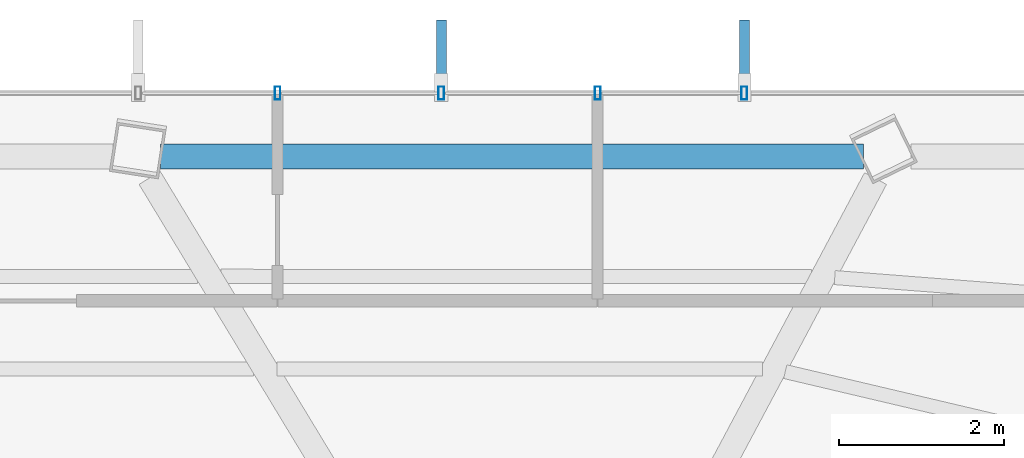
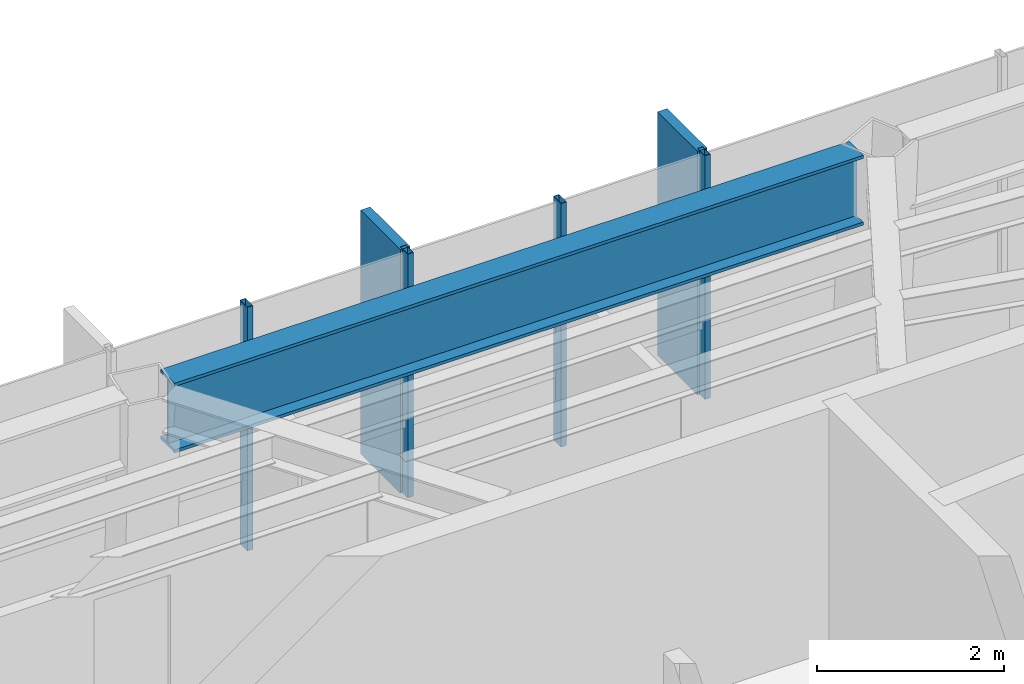
# One storey, part 14 of 25: 6 members, 1 beam, 1 element without a shape of its own.
"""IFC4 building model written with IfcOpenShell, lengths in metres."""

import ifcopenshell
import ifcopenshell.guid

model = None  # the IFC model being written
_history = None  # IfcOwnerHistory: only IFC2X3 demands one
_inside = {}  # id of a spatial element -> (the spatial element, [elements in it])
_under = {}  # id of a project, library or spatial element -> (it, [spatial elements below it])
_declared = {}  # id of a project -> (the project, [libraries it declares])
_typed = {}  # id of a type object -> (the type object, [elements of that type])
_made_of = {}  # id of a material, layer set ... -> (it, [elements and type objects made of it])


def new_model(schema):
    """Start an empty IFC model of exactly this schema.

    Asked for "IFC4X3", IfcOpenShell would pick the latest addendum, in which some entities
    have other attributes; the version numbers below select the first issue.
    IFC2X3 requires an IfcOwnerHistory on every rooted entity: one is made here for all.
    """
    global model, _history
    if schema == "IFC4X3":
        model = ifcopenshell.file(schema_version=(4, 3, 0, 0))
    else:
        model = ifcopenshell.file(schema=schema)
    _inside.clear()
    _under.clear()
    _declared.clear()
    _typed.clear()
    _made_of.clear()
    _history = None
    if model.schema == "IFC2X3":
        org = make("IfcOrganization", Name="unknown")
        user = make(
            "IfcPersonAndOrganization",
            ThePerson=make("IfcPerson", FamilyName="unknown"),
            TheOrganization=org,
        )
        app = make(
            "IfcApplication",
            ApplicationDeveloper=org,
            Version="unknown",
            ApplicationFullName="unknown",
            ApplicationIdentifier="unknown",
        )
        _history = make(
            "IfcOwnerHistory",
            OwningUser=user,
            OwningApplication=app,
            ChangeAction="ADDED",
            CreationDate=0,
        )
    return model


def make(cls, **values):
    """One entity of the class cls with the attributes given. An attribute that is None is left unset."""
    return model.create_entity(
        cls, **{name: value for name, value in values.items() if value is not None}
    )


def rooted(cls, **values):
    """An entity with a GlobalId (a new one), such as an element, a storey or a relation."""
    return make(cls, GlobalId=ifcopenshell.guid.new(), OwnerHistory=_history, **values)


def si_unit(unit_type, name, prefix=None):
    """IfcSIUnit, for example si_unit("LENGTHUNIT", "METRE", prefix="MILLI")."""
    return make("IfcSIUnit", UnitType=unit_type, Prefix=prefix, Name=name)


def assignment(units):
    """IfcUnitAssignment: the units of a project."""
    return None if units is None else make("IfcUnitAssignment", Units=units)


def point(xyz):
    """IfcCartesianPoint."""
    return None if xyz is None else make("IfcCartesianPoint", Coordinates=xyz)


def direction(xyz):
    """IfcDirection."""
    return None if xyz is None else make("IfcDirection", DirectionRatios=xyz)


def frame(location, z_axis=None, x_axis=None):
    """IfcAxis2Placement3D, a coordinate frame: its origin and axes. An axis left out is left unset."""
    return make(
        "IfcAxis2Placement3D",
        Location=point(location),
        Axis=direction(z_axis),
        RefDirection=direction(x_axis),
    )


def frame_2d(location, x_axis=None):
    """IfcAxis2Placement2D, a coordinate frame in the plane: its origin and x axis."""
    return make(
        "IfcAxis2Placement2D", Location=point(location), RefDirection=direction(x_axis)
    )


def origin():
    """The frame at (0, 0, 0) with its axes left unset."""
    return frame((0.0, 0.0, 0.0))


def origin_2d():
    """The frame at (0, 0) in the plane with its x axis left unset."""
    return frame_2d((0.0, 0.0))


def place(relative_to, where):
    """IfcLocalPlacement: puts the frame where relative to a parent placement (None: the world)."""
    return make(
        "IfcLocalPlacement", PlacementRelTo=relative_to, RelativePlacement=where
    )


def context(
    kind, dimensions, precision=None, world=None, true_north=None, identifier=None
):
    """IfcGeometricRepresentationContext, for example the 3D "Model" context."""
    return make(
        "IfcGeometricRepresentationContext",
        ContextIdentifier=identifier,
        ContextType=kind,
        CoordinateSpaceDimension=dimensions,
        Precision=precision,
        WorldCoordinateSystem=world,
        TrueNorth=true_north,
    )


def subcontext(parent, identifier, kind, view, scale=None):
    """IfcGeometricRepresentationSubContext, for example "Body" below "Model"."""
    return make(
        "IfcGeometricRepresentationSubContext",
        ContextIdentifier=identifier,
        ContextType=kind,
        ParentContext=parent,
        TargetScale=scale,
        TargetView=view,
    )


def project(units=None, contexts=None):
    """IfcProject with its units and contexts."""
    return rooted(
        "IfcProject",
        Name="project",
        RepresentationContexts=contexts,
        UnitsInContext=assignment(units),
    )


def spatial(cls, under=None, at=None, **own):
    """A site, building, storey or space (cls), placed at a placement, below another one or the project."""
    s = rooted(cls, ObjectPlacement=at, **own)
    if under is not None:
        _under.setdefault(under.id(), (under, []))[1].append(s)
    return s


def profile(cls, at=None, kind="AREA", **sizes):
    """A parametric profile (cls). Its sizes go by their IFC names, for example OverallWidth=200.0."""
    return make(cls, ProfileType=kind, Position=at, **sizes)


def rectangle(**sizes):
    """IfcRectangleProfileDef."""
    return profile("IfcRectangleProfileDef", **sizes)


def hollow_rectangle(**sizes):
    """IfcRectangleHollowProfileDef."""
    return profile("IfcRectangleHollowProfileDef", **sizes)


def i_section(**sizes):
    """IfcIShapeProfileDef."""
    return profile("IfcIShapeProfileDef", **sizes)


def extrude(swept, where, along, depth):
    """IfcExtrudedAreaSolid: the profile swept, set in the frame where, extruded along a direction by depth."""
    return make(
        "IfcExtrudedAreaSolid",
        SweptArea=swept,
        Position=where,
        ExtrudedDirection=direction(along),
        Depth=depth,
    )


def shape(context_of_items, identifier, shape_type, items):
    """IfcShapeRepresentation: the items that make up one representation, for example the "Body"."""
    return make(
        "IfcShapeRepresentation",
        ContextOfItems=context_of_items,
        RepresentationIdentifier=identifier,
        RepresentationType=shape_type,
        Items=items,
    )


def material(Name=None, Category=None):
    """IfcMaterial."""
    return make("IfcMaterial", Name=Name, Category=Category)


def layer(
    of_material, thickness, ventilated=None, Name=None, Category=None, Priority=None
):
    """IfcMaterialLayer: one layer of a wall or slab, of a material (None: an air gap)."""
    return make(
        "IfcMaterialLayer",
        Material=of_material,
        LayerThickness=thickness,
        IsVentilated=ventilated,
        Name=Name,
        Category=Category,
        Priority=Priority,
    )


def layer_set(layers, Name=None):
    """IfcMaterialLayerSet."""
    return make("IfcMaterialLayerSet", MaterialLayers=layers, LayerSetName=Name)


def material_profile(
    of_material, cross_section, Name=None, Category=None, Priority=None
):
    """IfcMaterialProfile: a cross section and its material."""
    return make(
        "IfcMaterialProfile",
        Name=Name,
        Material=of_material,
        Profile=cross_section,
        Priority=Priority,
        Category=Category,
    )


def profile_set(profiles, Name=None, composite=None):
    """IfcMaterialProfileSet."""
    return make(
        "IfcMaterialProfileSet",
        Name=Name,
        MaterialProfiles=profiles,
        CompositeProfile=composite,
    )


def made_of(thing, what):
    """Note that an element or type object is made of a material, layer set ...; save() writes the relation."""
    if what is not None:
        _made_of.setdefault(what.id(), (what, []))[1].append(thing)
    return thing


def type_object(cls, material=None, **own):
    """A type object (cls), such as IfcWallType, which elements share."""
    return made_of(rooted(cls, **own), material)


def element(
    cls,
    number,
    at=None,
    inside=None,
    cuts=None,
    type_object=None,
    material=None,
    context=None,
    identifier="Body",
    shape_type=None,
    held_by="IfcProductDefinitionShape",
    body=None,
    shapes=None,
    **own,
):
    """One element of the class cls, such as IfcWall. Its Tag is "e" and its number.

    at: its placement. inside: the storey or other place that contains it. cuts: it is an
    opening in that element (IfcRelVoidsElement). A single representation is given by context,
    identifier, shape_type and body (its items); several are given by shapes. held_by: the class
    of the entity that holds the representations. save() writes the other relations.
    """
    e = rooted(cls, Tag="e%d" % number, ObjectPlacement=at, **own)
    if body is not None:
        shapes = [shape(context, identifier, shape_type, body)]
    if shapes is not None:
        e.Representation = make(held_by, Representations=shapes)
    if inside is not None:
        _inside.setdefault(inside.id(), (inside, []))[1].append(e)
    if cuts is not None:
        rooted(
            "IfcRelVoidsElement", RelatingBuildingElement=cuts, RelatedOpeningElement=e
        )
    if type_object is not None:
        _typed.setdefault(type_object.id(), (type_object, []))[1].append(e)
    return made_of(e, material)


def aggregate(whole, parts):
    """IfcRelAggregates: a whole, such as a stair, and the parts it consists of."""
    return rooted("IfcRelAggregates", RelatingObject=whole, RelatedObjects=parts)


def save(model, path):
    """Write the relations noted so far, then the file.

    IfcRelAggregates (storeys below a building ...), IfcRelContainedInSpatialStructure (elements
    in a storey), IfcRelDefinesByType, IfcRelAssociatesMaterial and IfcRelDeclares: one each for
    every whole, place, type object, material and project.
    """
    for whole, parts in _under.values():
        aggregate(whole, parts)
    for where, things in _inside.values():
        rooted(
            "IfcRelContainedInSpatialStructure",
            RelatedElements=things,
            RelatingStructure=where,
        )
    for kind, things in _typed.values():
        rooted("IfcRelDefinesByType", RelatedObjects=things, RelatingType=kind)
    for what, things in _made_of.values():
        rooted("IfcRelAssociatesMaterial", RelatedObjects=things, RelatingMaterial=what)
    for by, libraries in _declared.values():
        rooted("IfcRelDeclares", RelatingContext=by, RelatedDefinitions=libraries)
    model.write(path)


model = new_model("IFC4")

# Units and contexts
model_context = context("Model", 3, precision=1e-05, world=origin(), true_north=direction((0.0, 1.0)))
body_context = subcontext(model_context, "Body", "Model", "MODEL_VIEW")
ifc_project = project(units=[si_unit("LENGTHUNIT", "METRE"), si_unit("AREAUNIT", "SQUARE_METRE"), si_unit("VOLUMEUNIT", "CUBIC_METRE"), si_unit("PLANEANGLEUNIT", "RADIAN"), si_unit("MASSUNIT", "GRAM", prefix="KILO")], contexts=[model_context])

# Site, building, storey
site_placement = place(None, origin())
site = spatial("IfcSite", under=ifc_project, at=site_placement, CompositionType="ELEMENT")
building_placement = place(site_placement, origin())
building = spatial("IfcBuilding", under=site, at=building_placement, Name="Zarrinselat Tower", CompositionType="ELEMENT")
storey_placement = place(building_placement, frame((0.0, 0.0, 246.159912109375)))
storey = spatial("IfcBuildingStorey", under=building, at=storey_placement, Name="L62", CompositionType="ELEMENT", Elevation=246.159912109375)

# Beam
ifc_material_1 = material(Name="Steel S460M", Category="steel")
ifc_material_profile_1 = material_profile(ifc_material_1, i_section(OverallWidth=0.302001953125, OverallDepth=0.909912109375, WebThickness=0.02099609375, FlangeThickness=0.0400390625, at=origin_2d()), Name="HEM 900")
ifc_profile_set_1 = profile_set([ifc_material_profile_1], Name="Steel S460M")
beam_type = type_object("IfcBeamType", Name="BM-HEM900", PredefinedType="BEAM", material=ifc_profile_set_1)
beam_placement = place(storey_placement, frame((39.0146484375, 47.29443359375, 2.72509765625), z_axis=(1.0, 0.0, 0.0), x_axis=(0.0, 1.0, 0.0)))
element("IfcBeam", 1, at=beam_placement, inside=storey, type_object=beam_type, Name="L62 Perimeter Spandrel Girder SP02", PredefinedType="BEAM", context=body_context, shape_type="SweptSolid", body=[
    extrude(i_section(OverallWidth=0.302001953125, OverallDepth=0.909912109375, WebThickness=0.02099609375, FlangeThickness=0.0400390625, at=origin_2d()), origin(), (0.0, 0.0, 1.0), 8.4990234375),
])

# Curtain wall, members
ifc_material_2 = material(Name="Extruded Aluminium Alloy EN AW-6063 T6", Category="aluminium")
ifc_layer = layer(ifc_material_2, 0.169921875)
ifc_layer_set = layer_set([ifc_layer], Name="Extruded Aluminium Alloy EN AW-6063 T6")
curtain_wall_type = type_object("IfcCurtainWallType", Name="CWS-RES", PredefinedType="NOTDEFINED", material=ifc_layer_set)
curtain_wall_placement = place(storey_placement, origin())
curtain_wall = element("IfcCurtainWall", 2, at=curtain_wall_placement, inside=storey, type_object=curtain_wall_type, Name="L62 Unitised Curtain Wall CW-L62-E01", PredefinedType="NOTDEFINED")
ifc_material_3 = material(Name="Extruded Aluminium Alloy EN AW-6063 T6", Category="aluminium")
ifc_material_profile_2 = material_profile(ifc_material_3, hollow_rectangle(XDim=0.070068359375, YDim=0.159912109375, WallThickness=0.00390625, at=origin_2d()), Name="RHS 160x70x4")
ifc_profile_set_2 = profile_set([ifc_material_profile_2], Name="Extruded Aluminium Alloy EN AW-6063 T6")
member_type_1 = type_object("IfcMemberType", Name="MEM-CW-MUL2", PredefinedType="MULLION", material=ifc_profile_set_2)
member_1_placement = place(storey_placement, frame((46.07421875, 48.06103515625, 0.0), z_axis=(0.0, 0.0, 1.0), x_axis=(-1.0, 0.0, 0.0)))
member_1 = element("IfcMember", 3, at=member_1_placement, type_object=member_type_1, Name="CW-L62-E01 Mullion 3", PredefinedType="MULLION", context=body_context, shape_type="SweptSolid", body=[
    extrude(hollow_rectangle(XDim=0.070068359375, YDim=0.159912109375, WallThickness=0.00390625, at=origin_2d()), origin(), (0.0, 0.0, 1.0), 3.18017578125),
])
member_2_placement = place(storey_placement, frame((44.300048828125, 48.06103515625, 0.0), z_axis=(0.0, 0.0, 1.0), x_axis=(-1.0, 0.0, 0.0)))
member_2 = element("IfcMember", 4, at=member_2_placement, type_object=member_type_1, Name="CW-L62-E01 Mullion 4", PredefinedType="MULLION", context=body_context, shape_type="SweptSolid", body=[
    extrude(hollow_rectangle(XDim=0.070068359375, YDim=0.159912109375, WallThickness=0.00390625, at=origin_2d()), origin(), (0.0, 0.0, 1.0), 3.18017578125),
])
member_3_placement = place(storey_placement, frame((42.409423828125, 48.06103515625, 0.0), z_axis=(0.0, 0.0, 1.0), x_axis=(-1.0, 0.0, 0.0)))
member_3 = element("IfcMember", 5, at=member_3_placement, type_object=member_type_1, Name="CW-L62-E01 Mullion 5", PredefinedType="MULLION", context=body_context, shape_type="SweptSolid", body=[
    extrude(hollow_rectangle(XDim=0.070068359375, YDim=0.159912109375, WallThickness=0.00390625, at=origin_2d()), origin(), (0.0, 0.0, 1.0), 3.18017578125),
])
member_4_placement = place(storey_placement, frame((40.4296875, 48.06103515625, 0.0), z_axis=(0.0, 0.0, 1.0), x_axis=(-1.0, 0.0, 0.0)))
member_4 = element("IfcMember", 6, at=member_4_placement, type_object=member_type_1, Name="CW-L62-E01 Mullion 6", PredefinedType="MULLION", context=body_context, shape_type="SweptSolid", body=[
    extrude(hollow_rectangle(XDim=0.070068359375, YDim=0.159912109375, WallThickness=0.00390625, at=origin_2d()), origin(), (0.0, 0.0, 1.0), 3.18017578125),
])
ifc_material_4 = material(Name="Honed Cream Travertine Stone", Category="masonry")
ifc_material_profile_3 = material_profile(ifc_material_4, rectangle(XDim=0.1201171875, YDim=0.85009765625, at=origin_2d()), Name="FIN 850x120")
ifc_profile_set_3 = profile_set([ifc_material_profile_3], Name="Honed Cream Travertine Stone")
member_type_2 = type_object("IfcMemberType", Name="MEM-STONE-FIN", PredefinedType="USERDEFINED", material=ifc_profile_set_3)
member_5_placement = place(storey_placement, frame((46.07421875, 48.52099609375, 0.0), z_axis=(0.0, 0.0, 1.0), x_axis=(1.0, 0.0, 0.0)))
member_5 = element("IfcMember", 7, at=member_5_placement, type_object=member_type_2, Name="L62 Stone Shading Fin CW-L62-E01-03", ObjectType="FIN", PredefinedType="USERDEFINED", context=body_context, shape_type="SweptSolid", body=[
    extrude(rectangle(XDim=0.1201171875, YDim=0.85009765625, at=origin_2d()), origin(), (0.0, 0.0, 1.0), 3.18017578125),
])
member_6_placement = place(storey_placement, frame((42.409423828125, 48.52099609375, 0.0), z_axis=(0.0, 0.0, 1.0), x_axis=(1.0, 0.0, 0.0)))
member_6 = element("IfcMember", 8, at=member_6_placement, type_object=member_type_2, Name="L62 Stone Shading Fin CW-L62-E01-05", ObjectType="FIN", PredefinedType="USERDEFINED", context=body_context, shape_type="SweptSolid", body=[
    extrude(rectangle(XDim=0.1201171875, YDim=0.85009765625, at=origin_2d()), origin(), (0.0, 0.0, 1.0), 3.18017578125),
])
aggregate(curtain_wall, [member_1, member_5, member_2, member_3, member_6, member_4])

save(model, "model.ifc")
